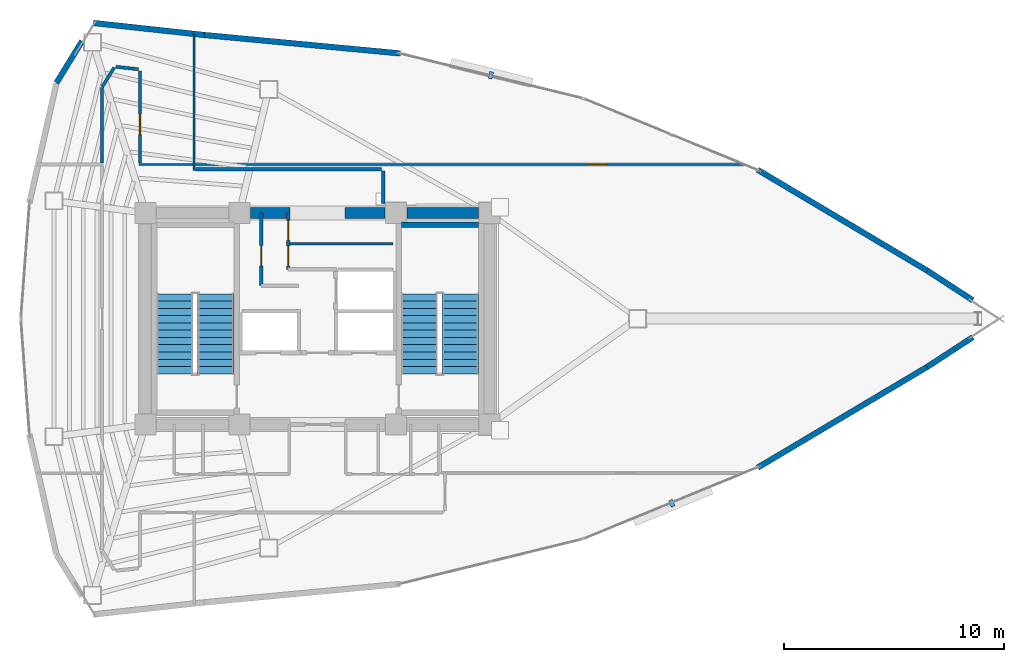
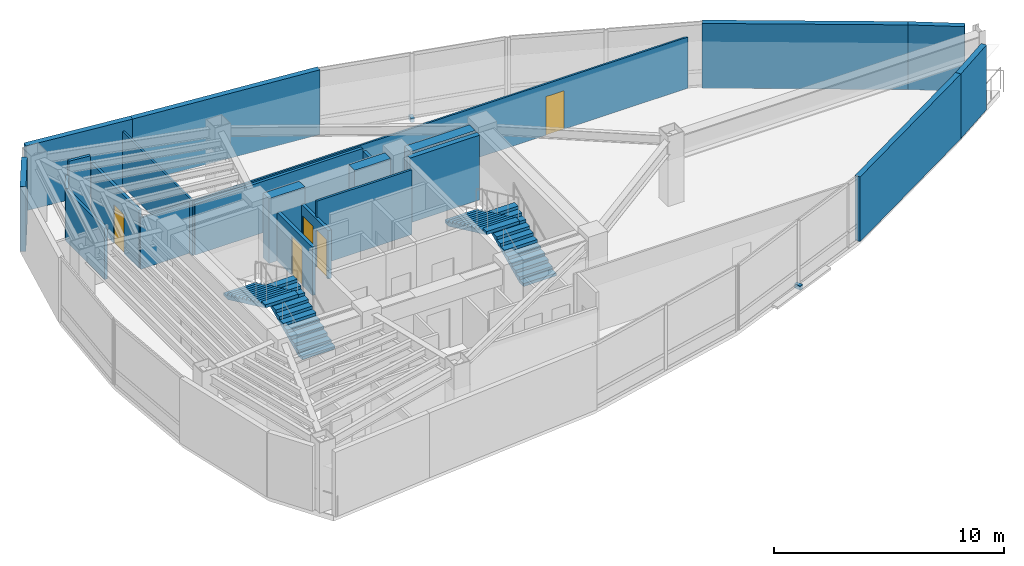
# One storey, part 15 of 17: 22 walls, 5 doors, 4 stair flights, 2 discrete accessories, 5 openings, 2 elements without a shape of their own.
"""IFC4 building model written with IfcOpenShell, lengths in metres."""

import ifcopenshell
import ifcopenshell.guid

model = None  # the IFC model being written
_history = None  # IfcOwnerHistory: only IFC2X3 demands one
_inside = {}  # id of a spatial element -> (the spatial element, [elements in it])
_under = {}  # id of a project, library or spatial element -> (it, [spatial elements below it])
_declared = {}  # id of a project -> (the project, [libraries it declares])
_typed = {}  # id of a type object -> (the type object, [elements of that type])
_made_of = {}  # id of a material, layer set ... -> (it, [elements and type objects made of it])


def new_model(schema):
    """Start an empty IFC model of exactly this schema.

    Asked for "IFC4X3", IfcOpenShell would pick the latest addendum, in which some entities
    have other attributes; the version numbers below select the first issue.
    IFC2X3 requires an IfcOwnerHistory on every rooted entity: one is made here for all.
    """
    global model, _history
    if schema == "IFC4X3":
        model = ifcopenshell.file(schema_version=(4, 3, 0, 0))
    else:
        model = ifcopenshell.file(schema=schema)
    _inside.clear()
    _under.clear()
    _declared.clear()
    _typed.clear()
    _made_of.clear()
    _history = None
    if model.schema == "IFC2X3":
        org = make("IfcOrganization", Name="unknown")
        user = make(
            "IfcPersonAndOrganization",
            ThePerson=make("IfcPerson", FamilyName="unknown"),
            TheOrganization=org,
        )
        app = make(
            "IfcApplication",
            ApplicationDeveloper=org,
            Version="unknown",
            ApplicationFullName="unknown",
            ApplicationIdentifier="unknown",
        )
        _history = make(
            "IfcOwnerHistory",
            OwningUser=user,
            OwningApplication=app,
            ChangeAction="ADDED",
            CreationDate=0,
        )
    return model


def make(cls, **values):
    """One entity of the class cls with the attributes given. An attribute that is None is left unset."""
    return model.create_entity(
        cls, **{name: value for name, value in values.items() if value is not None}
    )


def rooted(cls, **values):
    """An entity with a GlobalId (a new one), such as an element, a storey or a relation."""
    return make(cls, GlobalId=ifcopenshell.guid.new(), OwnerHistory=_history, **values)


def si_unit(unit_type, name, prefix=None):
    """IfcSIUnit, for example si_unit("LENGTHUNIT", "METRE", prefix="MILLI")."""
    return make("IfcSIUnit", UnitType=unit_type, Prefix=prefix, Name=name)


def assignment(units):
    """IfcUnitAssignment: the units of a project."""
    return None if units is None else make("IfcUnitAssignment", Units=units)


def point(xyz):
    """IfcCartesianPoint."""
    return None if xyz is None else make("IfcCartesianPoint", Coordinates=xyz)


def direction(xyz):
    """IfcDirection."""
    return None if xyz is None else make("IfcDirection", DirectionRatios=xyz)


def frame(location, z_axis=None, x_axis=None):
    """IfcAxis2Placement3D, a coordinate frame: its origin and axes. An axis left out is left unset."""
    return make(
        "IfcAxis2Placement3D",
        Location=point(location),
        Axis=direction(z_axis),
        RefDirection=direction(x_axis),
    )


def frame_2d(location, x_axis=None):
    """IfcAxis2Placement2D, a coordinate frame in the plane: its origin and x axis."""
    return make(
        "IfcAxis2Placement2D", Location=point(location), RefDirection=direction(x_axis)
    )


def origin():
    """The frame at (0, 0, 0) with its axes left unset."""
    return frame((0.0, 0.0, 0.0))


def origin_2d():
    """The frame at (0, 0) in the plane with its x axis left unset."""
    return frame_2d((0.0, 0.0))


def place(relative_to, where):
    """IfcLocalPlacement: puts the frame where relative to a parent placement (None: the world)."""
    return make(
        "IfcLocalPlacement", PlacementRelTo=relative_to, RelativePlacement=where
    )


def context(
    kind, dimensions, precision=None, world=None, true_north=None, identifier=None
):
    """IfcGeometricRepresentationContext, for example the 3D "Model" context."""
    return make(
        "IfcGeometricRepresentationContext",
        ContextIdentifier=identifier,
        ContextType=kind,
        CoordinateSpaceDimension=dimensions,
        Precision=precision,
        WorldCoordinateSystem=world,
        TrueNorth=true_north,
    )


def subcontext(parent, identifier, kind, view, scale=None):
    """IfcGeometricRepresentationSubContext, for example "Body" below "Model"."""
    return make(
        "IfcGeometricRepresentationSubContext",
        ContextIdentifier=identifier,
        ContextType=kind,
        ParentContext=parent,
        TargetScale=scale,
        TargetView=view,
    )


def project(units=None, contexts=None):
    """IfcProject with its units and contexts."""
    return rooted(
        "IfcProject",
        Name="project",
        RepresentationContexts=contexts,
        UnitsInContext=assignment(units),
    )


def spatial(cls, under=None, at=None, **own):
    """A site, building, storey or space (cls), placed at a placement, below another one or the project."""
    s = rooted(cls, ObjectPlacement=at, **own)
    if under is not None:
        _under.setdefault(under.id(), (under, []))[1].append(s)
    return s


def polyline(points):
    """IfcPolyline through the points."""
    return make("IfcPolyline", Points=[point(p) for p in points])


def profile(cls, at=None, kind="AREA", **sizes):
    """A parametric profile (cls). Its sizes go by their IFC names, for example OverallWidth=200.0."""
    return make(cls, ProfileType=kind, Position=at, **sizes)


def rectangle(**sizes):
    """IfcRectangleProfileDef."""
    return profile("IfcRectangleProfileDef", **sizes)


def outline(outer, holes=None, kind="AREA"):
    """IfcArbitraryClosedProfileDef: a profile drawn as a closed curve; with holes, ...WithVoids."""
    if holes is None:
        return make("IfcArbitraryClosedProfileDef", ProfileType=kind, OuterCurve=outer)
    return make(
        "IfcArbitraryProfileDefWithVoids",
        ProfileType=kind,
        OuterCurve=outer,
        InnerCurves=holes,
    )


def extrude(swept, where, along, depth):
    """IfcExtrudedAreaSolid: the profile swept, set in the frame where, extruded along a direction by depth."""
    return make(
        "IfcExtrudedAreaSolid",
        SweptArea=swept,
        Position=where,
        ExtrudedDirection=direction(along),
        Depth=depth,
    )


def shape(context_of_items, identifier, shape_type, items):
    """IfcShapeRepresentation: the items that make up one representation, for example the "Body"."""
    return make(
        "IfcShapeRepresentation",
        ContextOfItems=context_of_items,
        RepresentationIdentifier=identifier,
        RepresentationType=shape_type,
        Items=items,
    )


def material(Name=None, Category=None):
    """IfcMaterial."""
    return make("IfcMaterial", Name=Name, Category=Category)


def layer(
    of_material, thickness, ventilated=None, Name=None, Category=None, Priority=None
):
    """IfcMaterialLayer: one layer of a wall or slab, of a material (None: an air gap)."""
    return make(
        "IfcMaterialLayer",
        Material=of_material,
        LayerThickness=thickness,
        IsVentilated=ventilated,
        Name=Name,
        Category=Category,
        Priority=Priority,
    )


def layer_set(layers, Name=None):
    """IfcMaterialLayerSet."""
    return make("IfcMaterialLayerSet", MaterialLayers=layers, LayerSetName=Name)


def made_of(thing, what):
    """Note that an element or type object is made of a material, layer set ...; save() writes the relation."""
    if what is not None:
        _made_of.setdefault(what.id(), (what, []))[1].append(thing)
    return thing


def type_object(cls, material=None, **own):
    """A type object (cls), such as IfcWallType, which elements share."""
    return made_of(rooted(cls, **own), material)


def element(
    cls,
    number,
    at=None,
    inside=None,
    cuts=None,
    type_object=None,
    material=None,
    context=None,
    identifier="Body",
    shape_type=None,
    held_by="IfcProductDefinitionShape",
    body=None,
    shapes=None,
    **own,
):
    """One element of the class cls, such as IfcWall. Its Tag is "e" and its number.

    at: its placement. inside: the storey or other place that contains it. cuts: it is an
    opening in that element (IfcRelVoidsElement). A single representation is given by context,
    identifier, shape_type and body (its items); several are given by shapes. held_by: the class
    of the entity that holds the representations. save() writes the other relations.
    """
    e = rooted(cls, Tag="e%d" % number, ObjectPlacement=at, **own)
    if body is not None:
        shapes = [shape(context, identifier, shape_type, body)]
    if shapes is not None:
        e.Representation = make(held_by, Representations=shapes)
    if inside is not None:
        _inside.setdefault(inside.id(), (inside, []))[1].append(e)
    if cuts is not None:
        rooted(
            "IfcRelVoidsElement", RelatingBuildingElement=cuts, RelatedOpeningElement=e
        )
    if type_object is not None:
        _typed.setdefault(type_object.id(), (type_object, []))[1].append(e)
    return made_of(e, material)


def fill(opening, filler):
    """IfcRelFillsElement: the door or window that sits in an opening."""
    return rooted(
        "IfcRelFillsElement",
        RelatingOpeningElement=opening,
        RelatedBuildingElement=filler,
    )


def aggregate(whole, parts):
    """IfcRelAggregates: a whole, such as a stair, and the parts it consists of."""
    return rooted("IfcRelAggregates", RelatingObject=whole, RelatedObjects=parts)


def save(model, path):
    """Write the relations noted so far, then the file.

    IfcRelAggregates (storeys below a building ...), IfcRelContainedInSpatialStructure (elements
    in a storey), IfcRelDefinesByType, IfcRelAssociatesMaterial and IfcRelDeclares: one each for
    every whole, place, type object, material and project.
    """
    for whole, parts in _under.values():
        aggregate(whole, parts)
    for where, things in _inside.values():
        rooted(
            "IfcRelContainedInSpatialStructure",
            RelatedElements=things,
            RelatingStructure=where,
        )
    for kind, things in _typed.values():
        rooted("IfcRelDefinesByType", RelatedObjects=things, RelatingType=kind)
    for what, things in _made_of.values():
        rooted("IfcRelAssociatesMaterial", RelatedObjects=things, RelatingMaterial=what)
    for by, libraries in _declared.values():
        rooted("IfcRelDeclares", RelatingContext=by, RelatedDefinitions=libraries)
    model.write(path)


model = new_model("IFC4")

# Units and contexts
model_context = context("Model", 3, precision=1e-05, world=origin(), true_north=direction((0.0, 1.0)))
body_context = subcontext(model_context, "Body", "Model", "MODEL_VIEW")
ifc_project = project(units=[si_unit("LENGTHUNIT", "METRE"), si_unit("AREAUNIT", "SQUARE_METRE"), si_unit("VOLUMEUNIT", "CUBIC_METRE"), si_unit("PLANEANGLEUNIT", "RADIAN"), si_unit("MASSUNIT", "GRAM", prefix="KILO")], contexts=[model_context])

# Site, building, storey
site_placement = place(None, origin())
site = spatial("IfcSite", under=ifc_project, at=site_placement, CompositionType="ELEMENT")
building_placement = place(site_placement, origin())
building = spatial("IfcBuilding", under=site, at=building_placement, Name="Menara Vayukalpa", CompositionType="ELEMENT")
storey_placement = place(building_placement, frame((0.0, 0.0, 234.419921875)))
storey = spatial("IfcBuildingStorey", under=building, at=storey_placement, Name="L59", CompositionType="ELEMENT", Elevation=234.419921875)

# Walls
ifc_material_1 = material(Name="Concrete C60/75", Category="concrete")
ifc_layer_1 = layer(ifc_material_1, 0.5)
ifc_layer_set_1 = layer_set([ifc_layer_1], Name="Concrete C60/75")
wall_type_1 = type_object("IfcWallType", Name="WAL-CW500", PredefinedType="SHEAR", material=ifc_layer_set_1)
wall_1_placement = place(storey_placement, frame((22.544921875, 26.800048828125, 0.0), z_axis=(0.0, 0.0, 1.0), x_axis=(1.0, 0.0, 0.0)))
element("IfcWall", 1, at=wall_1_placement, inside=storey, type_object=wall_type_1, Name="L59 Buttressed Core Shear Wall CWN2", PredefinedType="SHEAR", context=body_context, shape_type="SweptSolid", body=[
    extrude(rectangle(XDim=1.80517578125, YDim=0.5, at=frame_2d((0.902587890625, 0.0))), origin(), (0.0, 0.0, 1.0), 3.440185546875),
])
wall_2_placement = place(storey_placement, frame((26.85009765625, 26.800048828125, 0.0), z_axis=(0.0, 0.0, 1.0), x_axis=(1.0, 0.0, 0.0)))
element("IfcWall", 2, at=wall_2_placement, inside=storey, type_object=wall_type_1, Name="L59 Buttressed Core Shear Wall CWN3", PredefinedType="SHEAR", context=body_context, shape_type="SweptSolid", body=[
    extrude(rectangle(XDim=1.804931640625, YDim=0.5, at=frame_2d((0.90234375, 0.0))), origin(), (0.0, 0.0, 1.0), 3.440185546875),
])
wall_3_placement = place(storey_placement, frame((29.64501953125, 26.800048828125, 0.0), z_axis=(0.0, 0.0, 1.0), x_axis=(1.0, 0.0, 0.0)))
element("IfcWall", 3, at=wall_3_placement, inside=storey, type_object=wall_type_1, Name="L59 Buttressed Core Shear Wall CWN4", PredefinedType="SHEAR", context=body_context, shape_type="SweptSolid", body=[
    extrude(rectangle(XDim=3.260009765625, YDim=0.5, at=frame_2d((1.6298828125, 0.0))), origin(), (0.0, 0.0, 1.0), 3.440185546875),
])
ifc_material_2 = material(Name="Insulated Precast Concrete C40/50", Category="concrete")
ifc_layer_2 = layer(ifc_material_2, 0.260009765625)
ifc_layer_set_2 = layer_set([ifc_layer_2], Name="Insulated Precast Concrete C40/50")
wall_type_2 = type_object("IfcWallType", Name="WAL-EXT260", PredefinedType="PARTITIONING", material=ifc_layer_set_2)
for number, where, z_axis, x_axis, name in (
    (4, (55.329833984375, 21.16259765625, 0.0), (0.0, 0.0, 1.0), (-0.837793250207, -0.545987609665, 0.0), "L59 Perimeter Terracotta Pier Wall 01"),
    (5, (53.258544921875, 24.187255859375, 0.0), (0.0, 0.0, 1.0), (0.837793250207, -0.545987609665, 0.0), "L59 Perimeter Terracotta Pier Wall 02"),
):
    element("IfcWall", number, at=place(storey_placement, frame(where, z_axis=z_axis, x_axis=x_axis)), inside=storey, type_object=wall_type_2, Name=name, PredefinedType="PARTITIONING", context=body_context, shape_type="SweptSolid", body=[
        extrude(rectangle(XDim=2.472412109375, YDim=0.260009765625, at=frame_2d((1.236328125, 0.0))), origin(), (0.0, 0.0, 1.0), 3.440185546875),
    ])
wall_4_placement = place(storey_placement, frame((45.565673828125, 28.759521484375, 0.0), z_axis=(0.0, 0.0, 1.0), x_axis=(0.859615449495, -0.510941561227, 0.0)))
element("IfcWall", 6, at=wall_4_placement, inside=storey, type_object=wall_type_2, Name="L59 Perimeter Terracotta Pier Wall 03", PredefinedType="PARTITIONING", context=body_context, shape_type="SweptSolid", body=[
    extrude(rectangle(XDim=8.961181640625, YDim=0.260009765625, at=frame_2d((4.48046875, 0.0))), origin(), (0.0, 0.0, 1.0), 3.440185546875),
])
wall_5_placement = place(storey_placement, frame((20.4384765625, 34.877685546875, 0.0), z_axis=(0.0, 0.0, 1.0), x_axis=(0.995616246459, -0.093532292754, 0.0)))
element("IfcWall", 7, at=wall_5_placement, inside=storey, type_object=wall_type_2, Name="L59 Perimeter Terracotta Pier Wall 06", PredefinedType="PARTITIONING", context=body_context, shape_type="SweptSolid", body=[
    extrude(rectangle(XDim=8.9609375, YDim=0.260009765625, at=frame_2d((4.48046875, 0.0))), origin(), (0.0, 0.0, 1.0), 3.440185546875),
])
wall_6_placement = place(storey_placement, frame((15.41748046875, 35.423095703125, 0.0), z_axis=(0.0, 0.0, 1.0), x_axis=(0.994158757437, -0.107927591518, 0.0)))
element("IfcWall", 8, at=wall_6_placement, inside=storey, type_object=wall_type_2, Name="L59 Perimeter Terracotta Pier Wall 07", PredefinedType="PARTITIONING", context=body_context, shape_type="SweptSolid", body=[
    extrude(rectangle(XDim=5.0625, YDim=0.260009765625, at=frame_2d((2.53125, 0.0))), origin(), (0.0, 0.0, 1.0), 3.440185546875),
])
wall_7_placement = place(storey_placement, frame((13.747314453125, 32.7021484375, 0.0), z_axis=(0.0, 0.0, 1.0), x_axis=(0.52314291314, 0.852244972077, 0.0)))
element("IfcWall", 9, at=wall_7_placement, inside=storey, type_object=wall_type_2, Name="L59 Perimeter Terracotta Pier Wall 08", PredefinedType="PARTITIONING", context=body_context, shape_type="SweptSolid", body=[
    extrude(rectangle(XDim=2.22705078125, YDim=0.260009765625, at=frame_2d((1.113525390625, 0.0))), origin(), (0.0, 0.0, 1.0), 3.440185546875),
])
wall_8_placement = place(storey_placement, frame((53.268798828125, 19.819091796875, 0.0), z_axis=(0.0, 0.0, 1.0), x_axis=(-0.859615449495, -0.510941561227, 0.0)))
element("IfcWall", 10, at=wall_8_placement, inside=storey, type_object=wall_type_2, Name="L59 Perimeter Terracotta Pier Wall 18", PredefinedType="PARTITIONING", context=body_context, shape_type="SweptSolid", body=[
    extrude(rectangle(XDim=8.961181640625, YDim=0.260009765625, at=frame_2d((4.48046875, 0.0))), origin(), (0.0, 0.0, 1.0), 3.440185546875),
])

# Wall, opening, door
ifc_material_3 = material(Name="Lightweight Concrete Blockwork C16/20", Category="masonry")
ifc_layer_3 = layer(ifc_material_3, 0.159912109375)
ifc_layer_set_3 = layer_set([ifc_layer_3], Name="Lightweight Concrete Blockwork C16/20")
wall_type_3 = type_object("IfcWallType", Name="WAL-FR150", PredefinedType="PARTITIONING", material=ifc_layer_set_3)
wall_9_placement = place(storey_placement, frame((23.0400390625, 23.5, 0.0), z_axis=(0.0, 0.0, 1.0), x_axis=(0.0, 1.0, 0.0)))
wall_9 = element("IfcWall", 11, at=wall_9_placement, inside=storey, type_object=wall_type_3, Name="L59 Interior Partition IW-L59-LV7WB", PredefinedType="PARTITIONING", context=body_context, shape_type="SweptSolid", body=[
    extrude(rectangle(XDim=3.300048828125, YDim=0.159912109375, at=frame_2d((1.64990234375, 0.0))), origin(), (0.0, 0.0, 1.0), 2.570068359375),
])
opening_1_placement = place(wall_9_placement, frame((0.89990234375, 0.0, 0.0)))
opening_1 = element("IfcOpeningElement", 12, at=opening_1_placement, cuts=wall_9, Name="Opening ID6", PredefinedType="OPENING", context=body_context, shape_type="SweptSolid", body=[
    extrude(rectangle(XDim=0.919921875, YDim=2.050048828125, at=frame_2d((0.4599609375, 1.02490234375))), frame((0.0, 0.08984375, 0.0), z_axis=(0.0, -1.0, 0.0), x_axis=(1.0, 0.0, 0.0)), (0.0, 0.0, 1.0), 0.179931640625),
])
ifc_material_4 = material(Name="Acoustic Hardwood Veneer Timber Door", Category="wood")
door_type_1 = type_object("IfcDoorType", Name="DR-INT92", OperationType="NOTDEFINED", PredefinedType="DOOR", material=ifc_material_4)
door_1_placement = place(opening_1_placement, origin())
door_1 = element("IfcDoor", 13, at=door_1_placement, inside=storey, type_object=door_type_1, Name="L59 Interior Door DR-L59-LV7W", OperationType="SINGLE_SWING_LEFT", OverallHeight=2.050048828125, OverallWidth=0.919921875, PredefinedType="DOOR", context=body_context, shape_type="SweptSolid", body=[
    extrude(rectangle(XDim=0.919921875, YDim=2.050048828125, at=frame_2d((0.4599609375, 1.02490234375))), frame((0.0, 0.02490234375, 0.0), z_axis=(0.0, -1.0, 0.0), x_axis=(1.0, 0.0, 0.0)), (0.0, 0.0, 1.0), 0.050048828125),
])
fill(opening_1, door_1)

# Wall, openings, doors
wall_10_placement = place(storey_placement, frame((24.260009765625, 24.239990234375, 0.0), z_axis=(0.0, 0.0, 1.0), x_axis=(0.0, 1.0, 0.0)))
wall_10 = element("IfcWall", 14, at=wall_10_placement, inside=storey, type_object=wall_type_3, Name="L59 Interior Partition IW-L59-LV7EB", PredefinedType="PARTITIONING", context=body_context, shape_type="SweptSolid", body=[
    extrude(rectangle(XDim=2.56005859375, YDim=0.159912109375, at=frame_2d((1.280029296875, 0.0))), origin(), (0.0, 0.0, 1.0), 2.570068359375),
])
opening_2_placement = place(wall_10_placement, frame((0.159912109375, 0.0, 0.0)))
opening_2 = element("IfcOpeningElement", 15, at=opening_2_placement, cuts=wall_10, Name="Opening ID7", PredefinedType="OPENING", context=body_context, shape_type="SweptSolid", body=[
    extrude(rectangle(XDim=0.89990234375, YDim=2.02001953125, at=frame_2d((0.449951171875, 1.010009765625))), frame((0.0, 0.08984375, 0.0), z_axis=(0.0, -1.0, 0.0), x_axis=(1.0, 0.0, 0.0)), (0.0, 0.0, 1.0), 0.179931640625),
])
opening_3_placement = place(wall_10_placement, frame((1.320068359375, 0.0, 0.0)))
opening_3 = element("IfcOpeningElement", 16, at=opening_3_placement, cuts=wall_10, Name="Opening ID7", PredefinedType="OPENING", context=body_context, shape_type="SweptSolid", body=[
    extrude(rectangle(XDim=0.89990234375, YDim=2.02001953125, at=frame_2d((0.449951171875, 1.010009765625))), frame((0.0, 0.08984375, 0.0), z_axis=(0.0, -1.0, 0.0), x_axis=(1.0, 0.0, 0.0)), (0.0, 0.0, 1.0), 0.179931640625),
])
ifc_material_5 = material(Name="Powder-Coated Steel Riser Access Door", Category="steel")
door_type_2 = type_object("IfcDoorType", Name="DR-RISER", OperationType="NOTDEFINED", PredefinedType="DOOR", material=ifc_material_5)
door_2_placement = place(opening_2_placement, origin())
door_2 = element("IfcDoor", 17, at=door_2_placement, inside=storey, type_object=door_type_2, Name="L59 Interior Door DR-L59-LV7E1", OperationType="SINGLE_SWING_RIGHT", OverallHeight=2.02001953125, OverallWidth=0.89990234375, PredefinedType="DOOR", context=body_context, shape_type="SweptSolid", body=[
    extrude(rectangle(XDim=0.89990234375, YDim=2.02001953125, at=frame_2d((0.449951171875, 1.010009765625))), frame((0.0, 0.02490234375, 0.0), z_axis=(0.0, -1.0, 0.0), x_axis=(1.0, 0.0, 0.0)), (0.0, 0.0, 1.0), 0.050048828125),
])
fill(opening_2, door_2)
door_3_placement = place(opening_3_placement, origin())
door_3 = element("IfcDoor", 18, at=door_3_placement, inside=storey, type_object=door_type_2, Name="L59 Interior Door DR-L59-LV7E2", OperationType="SINGLE_SWING_LEFT", OverallHeight=2.02001953125, OverallWidth=0.89990234375, PredefinedType="DOOR", context=body_context, shape_type="SweptSolid", body=[
    extrude(rectangle(XDim=0.89990234375, YDim=2.02001953125, at=frame_2d((0.449951171875, 1.010009765625))), frame((0.0, 0.02490234375, 0.0), z_axis=(0.0, -1.0, 0.0), x_axis=(1.0, 0.0, 0.0)), (0.0, 0.0, 1.0), 0.050048828125),
])
fill(opening_3, door_3)

# Wall
ifc_material_6 = material(Name="Glazed Demountable Office Partition", Category="glass")
ifc_layer_4 = layer(ifc_material_6, 0.094970703125)
ifc_layer_set_4 = layer_set([ifc_layer_4], Name="Glazed Demountable Office Partition")
wall_type_4 = type_object("IfcWallType", Name="WAL-PT100", PredefinedType="PARTITIONING", material=ifc_layer_set_4)
wall_11_placement = place(storey_placement, frame((20.0, 28.72998046875, 0.0), z_axis=(0.0, 0.0, 1.0), x_axis=(0.0, 1.0, 0.0)))
element("IfcWall", 19, at=wall_11_placement, inside=storey, type_object=wall_type_4, Name="L59 Interior Partition IW-L59-RDIV02", PredefinedType="PARTITIONING", context=body_context, shape_type="SweptSolid", body=[
    extrude(rectangle(XDim=6.20556640625, YDim=0.094970703125, at=frame_2d((3.102783203125, 0.0))), origin(), (0.0, 0.0, 1.0), 2.920166015625),
])

# Wall, opening, door
wall_12_placement = place(storey_placement, frame((17.489990234375, 29.0, 0.0), z_axis=(0.0, 0.0, 1.0), x_axis=(1.0, 0.0, 0.0)))
wall_12 = element("IfcWall", 20, at=wall_12_placement, inside=storey, type_object=wall_type_4, Name="L59 Interior Partition IW-L59-RDIV06", PredefinedType="PARTITIONING", context=body_context, shape_type="SweptSolid", body=[
    extrude(rectangle(XDim=27.474609375, YDim=0.094970703125, at=frame_2d((13.7373046875, 0.0))), origin(), (0.0, 0.0, 1.0), 2.719970703125),
])
opening_4_placement = place(wall_12_placement, frame((20.338134765625, 0.0, 0.0)))
opening_4 = element("IfcOpeningElement", 21, at=opening_4_placement, cuts=wall_12, Name="Opening ID6", PredefinedType="OPENING", context=body_context, shape_type="SweptSolid", body=[
    extrude(rectangle(XDim=0.919921875, YDim=2.050048828125, at=frame_2d((0.4599609375, 1.02490234375))), frame((0.0, 0.057373046875, 0.0), z_axis=(0.0, -1.0, 0.0), x_axis=(1.0, 0.0, 0.0)), (0.0, 0.0, 1.0), 0.114990234375),
])
door_4_placement = place(opening_4_placement, origin())
door_4 = element("IfcDoor", 22, at=door_4_placement, inside=storey, type_object=door_type_1, Name="L59 Interior Door DR-L59-STE05", OperationType="SINGLE_SWING_RIGHT", OverallHeight=2.050048828125, OverallWidth=0.919921875, PredefinedType="DOOR", context=body_context, shape_type="SweptSolid", body=[
    extrude(rectangle(XDim=0.919921875, YDim=2.050048828125, at=frame_2d((0.4599609375, 1.02490234375))), frame((0.0, 0.02490234375, 0.0), z_axis=(0.0, -1.0, 0.0), x_axis=(1.0, 0.0, 0.0)), (0.0, 0.0, 1.0), 0.050048828125),
])
fill(opening_4, door_4)

# Walls
ifc_material_7 = material(Name="Acoustic Mineral Stud Partition", Category="masonry")
ifc_layer_5 = layer(ifc_material_7, 0.110107421875)
ifc_layer_set_5 = layer_set([ifc_layer_5], Name="Acoustic Mineral Stud Partition")
wall_type_5 = type_object("IfcWallType", Name="WAL-PT110", PredefinedType="PARTITIONING", material=ifc_layer_set_5)
wall_13_placement = place(storey_placement, frame((24.260009765625, 25.39990234375, 0.0), z_axis=(0.0, 0.0, 1.0), x_axis=(1.0, 0.0, 0.0)))
element("IfcWall", 23, at=wall_13_placement, inside=storey, type_object=wall_type_5, Name="L59 Interior Partition IW-L59-LV7EM", PredefinedType="PARTITIONING", context=body_context, shape_type="SweptSolid", body=[
    extrude(rectangle(XDim=4.760009765625, YDim=0.110107421875, at=frame_2d((2.3798828125, 0.0))), origin(), (0.0, 0.0, 1.0), 3.440185546875),
])
ifc_material_8 = material(Name="Gypsum Drywall Acoustic Stud Assembly", Category="masonry")
ifc_layer_6 = layer(ifc_material_8, 0.14501953125)
ifc_layer_set_6 = layer_set([ifc_layer_6], Name="Gypsum Drywall Acoustic Stud Assembly")
wall_type_6 = type_object("IfcWallType", Name="WAL-PT150", PredefinedType="PARTITIONING", material=ifc_layer_set_6)
wall_14_placement = place(storey_placement, frame((28.580078125, 27.219970703125, 0.0), z_axis=(0.0, 0.0, 1.0), x_axis=(0.0, 1.0, 0.0)))
element("IfcWall", 24, at=wall_14_placement, inside=storey, type_object=wall_type_6, Name="L59 Interior Partition IW-L59-CRM04-1", PredefinedType="PARTITIONING", context=body_context, shape_type="SweptSolid", body=[
    extrude(rectangle(XDim=1.47998046875, YDim=0.14501953125, at=frame_2d((0.739990234375, 0.0))), origin(), (0.0, 0.0, 1.0), 2.570068359375),
])
wall_15_placement = place(storey_placement, frame((28.5, 28.780029296875, 0.0), z_axis=(0.0, 0.0, 1.0), x_axis=(-1.0, 0.0, 0.0)))
element("IfcWall", 25, at=wall_15_placement, inside=storey, type_object=wall_type_6, Name="L59 Interior Partition IW-L59-CRM04-2", PredefinedType="PARTITIONING", context=body_context, shape_type="SweptSolid", body=[
    extrude(rectangle(XDim=8.429931640625, YDim=0.14501953125, at=frame_2d((4.21484375, 0.0))), origin(), (0.0, 0.0, 1.0), 2.719970703125),
])

# Wall, opening, door
wall_16_placement = place(storey_placement, frame((17.5400390625, 29.070068359375, 0.0), z_axis=(0.0, 0.0, 1.0), x_axis=(0.0, 1.0, 0.0)))
wall_16 = element("IfcWall", 26, at=wall_16_placement, inside=storey, type_object=wall_type_6, Name="L59 Interior Partition IW-L59-CRM06-1", PredefinedType="PARTITIONING", context=body_context, shape_type="SweptSolid", body=[
    extrude(rectangle(XDim=4.169921875, YDim=0.14501953125, at=frame_2d((2.0849609375, 0.0))), origin(), (0.0, 0.0, 1.0), 3.070068359375),
])
opening_5_placement = place(wall_16_placement, frame((1.288818359375, 0.0, 0.0)))
opening_5 = element("IfcOpeningElement", 27, at=opening_5_placement, cuts=wall_16, Name="Opening ID6", PredefinedType="OPENING", context=body_context, shape_type="SweptSolid", body=[
    extrude(rectangle(XDim=0.919921875, YDim=2.050048828125, at=frame_2d((0.4599609375, 1.02490234375))), frame((0.0, 0.08251953125, 0.0), z_axis=(0.0, -1.0, 0.0), x_axis=(1.0, 0.0, 0.0)), (0.0, 0.0, 1.0), 0.1650390625),
])
door_5_placement = place(opening_5_placement, origin())
door_5 = element("IfcDoor", 28, at=door_5_placement, inside=storey, type_object=door_type_1, Name="L59 Interior Door DR-L59-RM06", OperationType="SINGLE_SWING_LEFT", OverallHeight=2.050048828125, OverallWidth=0.919921875, PredefinedType="DOOR", context=body_context, shape_type="SweptSolid", body=[
    extrude(rectangle(XDim=0.919921875, YDim=2.050048828125, at=frame_2d((0.4599609375, 1.02490234375))), frame((0.0, 0.02490234375, 0.0), z_axis=(0.0, -1.0, 0.0), x_axis=(1.0, 0.0, 0.0)), (0.0, 0.0, 1.0), 0.050048828125),
])
fill(opening_5, door_5)

# Walls
wall_17_placement = place(storey_placement, frame((17.468505859375, 33.3193359375, 0.0), z_axis=(0.0, 0.0, 1.0), x_axis=(-0.994140595739, 0.108094754283, 0.0)))
element("IfcWall", 29, at=wall_17_placement, inside=storey, type_object=wall_type_6, Name="L59 Interior Partition IW-L59-CRM06-2", PredefinedType="PARTITIONING", context=body_context, shape_type="SweptSolid", body=[
    extrude(rectangle(XDim=1.0322265625, YDim=0.14501953125, at=frame_2d((0.51611328125, 0.0))), origin(), (0.0, 0.0, 1.0), 3.440185546875),
])
wall_18_placement = place(storey_placement, frame((16.36572265625, 33.393310546875, 0.0), z_axis=(0.0, 0.0, 1.0), x_axis=(-0.523122844464, -0.852257290729, 0.0)))
element("IfcWall", 30, at=wall_18_placement, inside=storey, type_object=wall_type_6, Name="L59 Interior Partition IW-L59-CRM06-3", PredefinedType="PARTITIONING", context=body_context, shape_type="SweptSolid", body=[
    extrude(rectangle(XDim=1.020751953125, YDim=0.14501953125, at=frame_2d((0.51025390625, 0.0))), origin(), (0.0, 0.0, 1.0), 2.719970703125),
])
wall_19_placement = place(storey_placement, frame((15.820068359375, 32.4814453125, 0.0), z_axis=(0.0, 0.0, 1.0), x_axis=(0.0, -1.0, 0.0)))
element("IfcWall", 31, at=wall_19_placement, inside=storey, type_object=wall_type_6, Name="L59 Interior Partition IW-L59-CRM06-4", PredefinedType="PARTITIONING", context=body_context, shape_type="SweptSolid", body=[
    extrude(rectangle(XDim=3.411376953125, YDim=0.14501953125, at=frame_2d((1.70556640625, 0.0))), origin(), (0.0, 0.0, 1.0), 2.719970703125),
])
ifc_material_9 = material(Name="Concrete C50/60", Category="concrete")
ifc_layer_7 = layer(ifc_material_9, 0.25)
ifc_layer_set_7 = layer_set([ifc_layer_7], Name="Concrete C50/60")
wall_type_7 = type_object("IfcWallType", Name="WAL-SW250", PredefinedType="SHEAR", material=ifc_layer_set_7)
wall_20_placement = place(storey_placement, frame((29.39990234375, 26.27490234375, 0.0), z_axis=(0.0, 0.0, 1.0), x_axis=(1.0, 0.0, 0.0)))
element("IfcWall", 32, at=wall_20_placement, inside=storey, type_object=wall_type_7, Name="L59 ST2 Structural Stair Shaft Wall N", PredefinedType="SHEAR", context=body_context, shape_type="SweptSolid", body=[
    extrude(rectangle(XDim=3.49609375, YDim=0.25, at=frame_2d((1.748046875, 0.0))), origin(), (0.0, 0.0, 1.0), 3.440185546875),
])

# Stair, stair flights
ifc_material_10 = material(Name="Precast Concrete C40/50", Category="concrete")
stair_type = type_object("IfcStairType", Name="STR-T04", PredefinedType="DOUBLE_RETURN_STAIR", material=ifc_material_10)
stair_1_placement = place(storey_placement, origin())
stair_1 = element("IfcStair", 33, at=stair_1_placement, inside=storey, type_object=stair_type, Name="L59 Core Exit Stair ST-1", PredefinedType="DOUBLE_RETURN_STAIR")
ifc_material_11 = material(Name="Precast Concrete C40/50", Category="concrete")
stair_flight_type = type_object("IfcStairFlightType", Name="STF-T04", PredefinedType="STRAIGHT", material=ifc_material_11)
stair_flight_1_placement = place(storey_placement, frame((20.97509765625, 19.5, 0.0), z_axis=(0.0, 0.0, 1.0), x_axis=(0.0, 1.0, 0.0)))
stair_flight_1 = element("IfcStairFlight", 34, at=stair_flight_1_placement, type_object=stair_flight_type, Name="ST-1 flight 1", NumberOfRisers=12, NumberOfTreads=11, PredefinedType="STRAIGHT", RiserHeight=0.155, TreadLength=0.33, context=body_context, shape_type="SweptSolid", body=[
    extrude(outline(polyline([(0.0, 0.0), (0.0, 0.155029296875), (0.330078125, 0.155029296875), (0.330078125, 0.31005859375), (0.659912109375, 0.31005859375), (0.659912109375, 0.465087890625), (0.989990234375, 0.465087890625), (0.989990234375, 0.6201171875), (1.320068359375, 0.6201171875), (1.320068359375, 0.77490234375), (1.64990234375, 0.77490234375), (1.64990234375, 0.929931640625), (1.97998046875, 0.929931640625), (1.97998046875, 1.0849609375), (2.31005859375, 1.0849609375), (2.31005859375, 1.239990234375), (2.639892578125, 1.239990234375), (2.639892578125, 1.39501953125), (2.969970703125, 1.39501953125), (2.969970703125, 1.550048828125), (3.300048828125, 1.550048828125), (3.300048828125, 1.705078125), (3.6298828125, 1.705078125), (3.6298828125, 1.860107421875), (3.6298828125, 1.539306640625), (0.3525390625, 0.0), (0.0, 0.0)])), frame((0.0, 0.824951171875, 0.0), z_axis=(0.0, -1.0, 0.0), x_axis=(1.0, 0.0, 0.0)), (0.0, 0.0, 1.0), 1.64990234375),
])
stair_flight_2_placement = place(storey_placement, frame((19.125, 23.1298828125, 1.860107421875), z_axis=(0.0, 0.0, 1.0), x_axis=(0.0, -1.0, 0.0)))
stair_flight_2 = element("IfcStairFlight", 35, at=stair_flight_2_placement, type_object=stair_flight_type, Name="ST-1 flight 2", NumberOfRisers=12, NumberOfTreads=11, PredefinedType="STRAIGHT", RiserHeight=0.155, TreadLength=0.33, context=body_context, shape_type="SweptSolid", body=[
    extrude(outline(polyline([(0.0, 0.0), (0.0, 0.155029296875), (0.330078125, 0.155029296875), (0.330078125, 0.31005859375), (0.659912109375, 0.31005859375), (0.659912109375, 0.465087890625), (0.989990234375, 0.465087890625), (0.989990234375, 0.6201171875), (1.320068359375, 0.6201171875), (1.320068359375, 0.77490234375), (1.64990234375, 0.77490234375), (1.64990234375, 0.929931640625), (1.97998046875, 0.929931640625), (1.97998046875, 1.0849609375), (2.31005859375, 1.0849609375), (2.31005859375, 1.239990234375), (2.639892578125, 1.239990234375), (2.639892578125, 1.39501953125), (2.969970703125, 1.39501953125), (2.969970703125, 1.550048828125), (3.300048828125, 1.550048828125), (3.300048828125, 1.705078125), (3.6298828125, 1.705078125), (3.6298828125, 1.860107421875), (3.6298828125, 1.539306640625), (0.3525390625, 0.0), (0.0, 0.0)])), frame((0.0, 0.824951171875, 0.0), z_axis=(0.0, -1.0, 0.0), x_axis=(1.0, 0.0, 0.0)), (0.0, 0.0, 1.0), 1.64990234375),
])
aggregate(stair_1, [stair_flight_1, stair_flight_2])

stair_2_placement = place(storey_placement, origin())
stair_2 = element("IfcStair", 36, at=stair_2_placement, inside=storey, type_object=stair_type, Name="L59 Core Exit Stair ST-2", PredefinedType="DOUBLE_RETURN_STAIR")
stair_flight_3_placement = place(storey_placement, frame((32.074951171875, 19.5, 0.0), z_axis=(0.0, 0.0, 1.0), x_axis=(0.0, 1.0, 0.0)))
stair_flight_3 = element("IfcStairFlight", 37, at=stair_flight_3_placement, type_object=stair_flight_type, Name="ST-2 flight 1", NumberOfRisers=12, NumberOfTreads=11, PredefinedType="STRAIGHT", RiserHeight=0.155, TreadLength=0.33, context=body_context, shape_type="SweptSolid", body=[
    extrude(outline(polyline([(0.0, 0.0), (0.0, 0.155029296875), (0.330078125, 0.155029296875), (0.330078125, 0.31005859375), (0.659912109375, 0.31005859375), (0.659912109375, 0.465087890625), (0.989990234375, 0.465087890625), (0.989990234375, 0.6201171875), (1.320068359375, 0.6201171875), (1.320068359375, 0.77490234375), (1.64990234375, 0.77490234375), (1.64990234375, 0.929931640625), (1.97998046875, 0.929931640625), (1.97998046875, 1.0849609375), (2.31005859375, 1.0849609375), (2.31005859375, 1.239990234375), (2.639892578125, 1.239990234375), (2.639892578125, 1.39501953125), (2.969970703125, 1.39501953125), (2.969970703125, 1.550048828125), (3.300048828125, 1.550048828125), (3.300048828125, 1.705078125), (3.6298828125, 1.705078125), (3.6298828125, 1.860107421875), (3.6298828125, 1.539306640625), (0.3525390625, 0.0), (0.0, 0.0)])), frame((0.0, 0.824951171875, 0.0), z_axis=(0.0, -1.0, 0.0), x_axis=(1.0, 0.0, 0.0)), (0.0, 0.0, 1.0), 1.64990234375),
])
stair_flight_4_placement = place(storey_placement, frame((30.22509765625, 23.1298828125, 1.860107421875), z_axis=(0.0, 0.0, 1.0), x_axis=(0.0, -1.0, 0.0)))
stair_flight_4 = element("IfcStairFlight", 38, at=stair_flight_4_placement, type_object=stair_flight_type, Name="ST-2 flight 2", NumberOfRisers=12, NumberOfTreads=11, PredefinedType="STRAIGHT", RiserHeight=0.155, TreadLength=0.33, context=body_context, shape_type="SweptSolid", body=[
    extrude(outline(polyline([(0.0, 0.0), (0.0, 0.155029296875), (0.330078125, 0.155029296875), (0.330078125, 0.31005859375), (0.659912109375, 0.31005859375), (0.659912109375, 0.465087890625), (0.989990234375, 0.465087890625), (0.989990234375, 0.6201171875), (1.320068359375, 0.6201171875), (1.320068359375, 0.77490234375), (1.64990234375, 0.77490234375), (1.64990234375, 0.929931640625), (1.97998046875, 0.929931640625), (1.97998046875, 1.0849609375), (2.31005859375, 1.0849609375), (2.31005859375, 1.239990234375), (2.639892578125, 1.239990234375), (2.639892578125, 1.39501953125), (2.969970703125, 1.39501953125), (2.969970703125, 1.550048828125), (3.300048828125, 1.550048828125), (3.300048828125, 1.705078125), (3.6298828125, 1.705078125), (3.6298828125, 1.860107421875), (3.6298828125, 1.539306640625), (0.3525390625, 0.0), (0.0, 0.0)])), frame((0.0, 0.824951171875, 0.0), z_axis=(0.0, -1.0, 0.0), x_axis=(1.0, 0.0, 0.0)), (0.0, 0.0, 1.0), 1.64990234375),
])
aggregate(stair_2, [stair_flight_3, stair_flight_4])

# Discrete accessories
ifc_material_12 = material(Name="Stainless Steel 316 Sunshade Bracket", Category="steel")
discrete_accessory_type = type_object("IfcDiscreteAccessoryType", Name="ACC-BRK1", PredefinedType="BRACKET", material=ifc_material_12)
for number, where, z_axis, x_axis, name in (
    (39, (33.46044921875, 33.050048828125, -0.15966796875), (0.0, 0.0, 1.0), (-0.971313023754, 0.237804562373, 0.0), "L59 Terracotta Sunshade Bracket 05"),
    (40, (41.669677734375, 13.62451171875, -0.15966796875), (0.0, 0.0, 1.0), (0.924971116436, 0.380037411, 0.0), "L59 Terracotta Sunshade Bracket 17"),
):
    element("IfcDiscreteAccessory", number, at=place(storey_placement, frame(where, z_axis=z_axis, x_axis=x_axis)), inside=storey, type_object=discrete_accessory_type, Name=name, PredefinedType="BRACKET", context=body_context, shape_type="SweptSolid", body=[
        extrude(rectangle(XDim=0.179931640625, YDim=0.320068359375, at=origin_2d()), origin(), (0.0, 0.0, 1.0), 0.219970703125),
    ])

save(model, "model.ifc")
